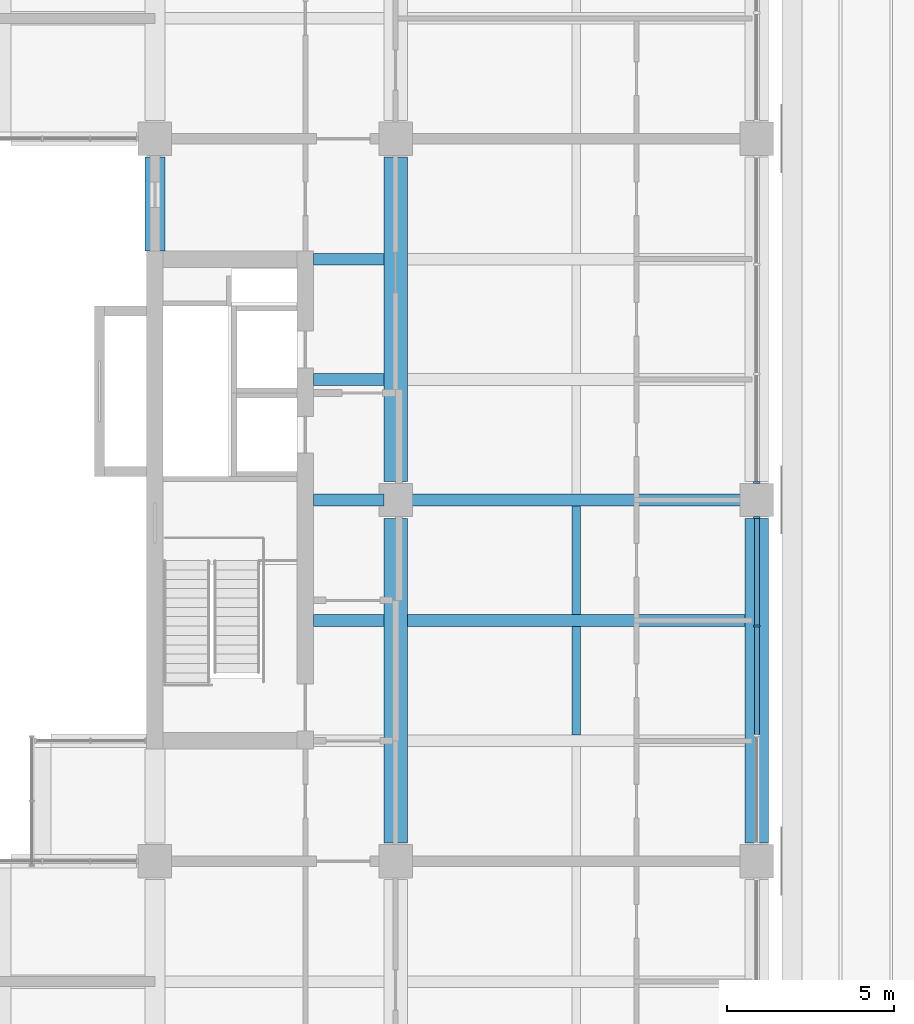
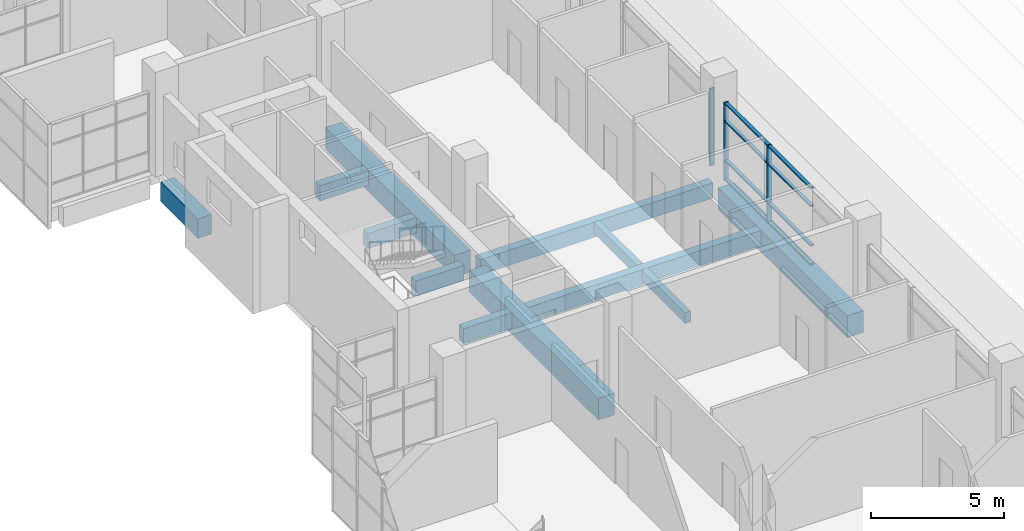
# One storey, part 8 of 45: 12 beams, 11 members, 2 elements without a shape of their own.
"""IFC4 building model written with IfcOpenShell, lengths in metres."""

from ifc_helpers import new_model, si_unit, direction, frame, origin, origin_2d, place, context, subcontext, project, spatial, rectangle, extrude, material, layer, layer_set, material_profile, profile_set, type_object, element, aggregate, save


model = new_model("IFC4")

# Units and contexts
model_context = context("Model", 3, precision=1e-05, world=origin(), true_north=direction((0.0, 1.0)))
body_context = subcontext(model_context, "Body", "Model", "MODEL_VIEW")
ifc_project = project(units=[si_unit("LENGTHUNIT", "METRE"), si_unit("AREAUNIT", "SQUARE_METRE"), si_unit("VOLUMEUNIT", "CUBIC_METRE"), si_unit("PLANEANGLEUNIT", "RADIAN"), si_unit("MASSUNIT", "GRAM", prefix="KILO")], contexts=[model_context])

# Site, building, storey
site_placement = place(None, origin())
site = spatial("IfcSite", under=ifc_project, at=site_placement, CompositionType="ELEMENT")
building_placement = place(site_placement, origin())
building = spatial("IfcBuilding", under=site, at=building_placement, Name="Basin Gate Institute", CompositionType="ELEMENT")
storey_placement = place(building_placement, frame((0.0, 0.0, 22.199951171875)))
storey = spatial("IfcBuildingStorey", under=building, at=storey_placement, Name="L04", CompositionType="ELEMENT", Elevation=22.199951171875)

# Beams
ifc_material_1 = material(Name="Concrete 40 MPa", Category="concrete")
ifc_material_profile_1 = material_profile(ifc_material_1, rectangle(XDim=0.35009765625, YDim=0.699951171875, at=origin_2d()), Name="Beam B1 350 x 700")
ifc_profile_set_1 = profile_set([ifc_material_profile_1], Name="Concrete 40 MPa")
beam_type_1 = type_object("IfcBeamType", Name="Beam B1 R120", PredefinedType="BEAM", material=ifc_profile_set_1)
beam_1_placement = place(storey_placement, frame((68.75, 63.89990234375, -0.599853515625), z_axis=(1.0, 0.0, 0.0), x_axis=(0.0, 1.0, 0.0)))
element("IfcBeam", 1, at=beam_1_placement, inside=storey, type_object=beam_type_1, material=ifc_profile_set_1, Name="BEAM/L04/W/EW/09", PredefinedType="BEAM", context=body_context, shape_type="SweptSolid", body=[
    extrude(rectangle(XDim=0.35009765625, YDim=0.699951171875, at=origin_2d()), origin(), (0.0, 0.0, 1.0), 10.10009765625),
])
beam_2_placement = place(storey_placement, frame((65.949951171875, 63.89990234375, -0.599853515625), z_axis=(1.0, 0.0, 0.0), x_axis=(0.0, 1.0, 0.0)))
element("IfcBeam", 2, at=beam_2_placement, inside=storey, type_object=beam_type_1, material=ifc_profile_set_1, Name="BEAM/L04/W/CORR/09", PredefinedType="BEAM", context=body_context, shape_type="SweptSolid", body=[
    extrude(rectangle(XDim=0.35009765625, YDim=0.699951171875, at=origin_2d()), origin(), (0.0, 0.0, 1.0), 2.10009765625),
])
beam_3_placement = place(storey_placement, frame((68.75, 67.5, -0.599853515625), z_axis=(1.0, 0.0, 0.0), x_axis=(0.0, 1.0, 0.0)))
element("IfcBeam", 3, at=beam_3_placement, inside=storey, type_object=beam_type_1, material=ifc_profile_set_1, Name="BEAM/L04/W/EW/10", PredefinedType="BEAM", context=body_context, shape_type="SweptSolid", body=[
    extrude(rectangle(XDim=0.35009765625, YDim=0.699951171875, at=origin_2d()), origin(), (0.0, 0.0, 1.0), 10.10009765625),
])
for number, where, z_axis, x_axis, name in (
    (4, (65.949951171875, 67.5, -0.599853515625), (1.0, 0.0, 0.0), (0.0, 1.0, 0.0), "BEAM/L04/W/CORR/10"),
    (5, (65.949951171875, 71.10009765625, -0.599853515625), (1.0, 0.0, 0.0), (0.0, 1.0, 0.0), "BEAM/L04/W/CORR/11"),
    (6, (65.949951171875, 74.699951171875, -0.599853515625), (1.0, 0.0, 0.0), (0.0, 1.0, 0.0), "BEAM/L04/W/CORR/12"),
):
    element("IfcBeam", number, at=place(storey_placement, frame(where, z_axis=z_axis, x_axis=x_axis)), inside=storey, type_object=beam_type_1, material=ifc_profile_set_1, Name=name, PredefinedType="BEAM", context=body_context, shape_type="SweptSolid", body=[
        extrude(rectangle(XDim=0.35009765625, YDim=0.699951171875, at=origin_2d()), origin(), (0.0, 0.0, 1.0), 2.10009765625),
    ])
ifc_material_2 = material(Name="Concrete 50 MPa", Category="concrete")
ifc_material_profile_2 = material_profile(ifc_material_2, rectangle(XDim=0.60009765625, YDim=0.89990234375, at=origin_2d()), Name="Edge return beam EB3 600 x 900")
ifc_profile_set_2 = profile_set([ifc_material_profile_2], Name="Concrete 50 MPa")
beam_type_2 = type_object("IfcBeamType", Name="Edge return beam EB3 R120", PredefinedType="SPANDREL", material=ifc_profile_set_2)
beam_4_placement = place(storey_placement, frame((61.199951171875, 74.949951171875, -0.699951171875), z_axis=(0.0, 1.0, 0.0), x_axis=(-1.0, 0.0, 0.0)))
element("IfcBeam", 7, at=beam_4_placement, inside=storey, type_object=beam_type_2, material=ifc_profile_set_2, Name="BEAM/L04/W/EDGE/3", PredefinedType="SPANDREL", context=body_context, shape_type="SweptSolid", body=[
    extrude(rectangle(XDim=0.60009765625, YDim=0.89990234375, at=origin_2d()), origin(), (0.0, 0.0, 1.0), 2.800048828125),
])
ifc_material_3 = material(Name="Concrete 50 MPa", Category="concrete")
ifc_material_profile_3 = material_profile(ifc_material_3, rectangle(XDim=0.699951171875, YDim=1.0, at=origin_2d()), Name="Girder G1 700 x 1000")
ifc_profile_set_3 = profile_set([ifc_material_profile_3], Name="Concrete 50 MPa")
beam_type_3 = type_object("IfcBeamType", Name="Girder G1 R120", PredefinedType="BEAM", material=ifc_profile_set_3)
for number, where, z_axis, x_axis, name in (
    (8, (68.39990234375, 57.25, -0.75), (0.0, 1.0, 0.0), (-1.0, 0.0, 0.0), "GIR/L04/W5/3"),
    (9, (68.39990234375, 68.050048828125, -0.75), (0.0, 1.0, 0.0), (-1.0, 0.0, 0.0), "GIR/L04/W5/4"),
    (10, (79.199951171875, 57.25, -0.75), (0.0, 1.0, 0.0), (-1.0, 0.0, 0.0), "GIR/L04/W6/3"),
):
    element("IfcBeam", number, at=place(storey_placement, frame(where, z_axis=z_axis, x_axis=x_axis)), inside=storey, type_object=beam_type_3, material=ifc_profile_set_3, Name=name, PredefinedType="BEAM", context=body_context, shape_type="SweptSolid", body=[
        extrude(rectangle(XDim=0.699951171875, YDim=1.0, at=origin_2d()), origin(), (0.0, 0.0, 1.0), 9.699951171875),
    ])

# Curtain wall, members
ifc_material_4 = material(Name="Aluminium-framed glazing", Category="aluminium")
ifc_layer = layer(ifc_material_4, 0.199951171875)
ifc_layer_set = layer_set([ifc_layer], Name="Atrium curtain wall CW2")
curtain_wall_type = type_object("IfcCurtainWallType", Name="Atrium curtain wall CW2", PredefinedType="NOTDEFINED", material=ifc_layer_set)
curtain_wall_1_placement = place(storey_placement, origin())
curtain_wall_1 = element("IfcCurtainWall", 11, at=curtain_wall_1_placement, inside=storey, type_object=curtain_wall_type, material=ifc_layer_set, Name="Atrium curtain wall W wing atrium bay 3 L04", PredefinedType="NOTDEFINED")
ifc_material_5 = material(Name="Aluminium", Category="aluminium")
ifc_material_profile_4 = material_profile(ifc_material_5, rectangle(XDim=0.199951171875, YDim=0.06005859375, at=origin_2d()), Name="Mullion MU2 200 x 60")
ifc_profile_set_4 = profile_set([ifc_material_profile_4], Name="Aluminium")
member_type_1 = type_object("IfcMemberType", Name="Mullion MU2", PredefinedType="MULLION", material=ifc_profile_set_4)
member_1_placement = place(storey_placement, frame((79.199951171875, 63.7333984375, 0.0), z_axis=(0.0, 0.0, 1.0), x_axis=(-1.0, 0.0, 0.0)))
member_1 = element("IfcMember", 12, at=member_1_placement, type_object=member_type_1, material=ifc_profile_set_4, Name="CW2 mullion 3", PredefinedType="MULLION", context=body_context, shape_type="SweptSolid", body=[
    extrude(rectangle(XDim=0.199951171875, YDim=0.06005859375, at=origin_2d()), origin(), (0.0, 0.0, 1.0), 3.550048828125),
])
member_2_placement = place(storey_placement, frame((79.199951171875, 66.969970703125, 0.0), z_axis=(0.0, 0.0, 1.0), x_axis=(-1.0, 0.0, 0.0)))
member_2 = element("IfcMember", 13, at=member_2_placement, type_object=member_type_1, material=ifc_profile_set_4, Name="CW2 mullion 4", PredefinedType="MULLION", context=body_context, shape_type="SweptSolid", body=[
    extrude(rectangle(XDim=0.199951171875, YDim=0.06005859375, at=origin_2d()), origin(), (0.0, 0.0, 1.0), 3.550048828125),
])

# Curtain wall, member
curtain_wall_2_placement = place(storey_placement, origin())
curtain_wall_2 = element("IfcCurtainWall", 14, at=curtain_wall_2_placement, inside=storey, type_object=curtain_wall_type, material=ifc_layer_set, Name="Atrium curtain wall W wing atrium bay 4 L04", PredefinedType="NOTDEFINED")
member_3_placement = place(storey_placement, frame((79.199951171875, 68.030029296875, 0.0), z_axis=(0.0, 0.0, 1.0), x_axis=(-1.0, 0.0, 0.0)))
member_3 = element("IfcMember", 15, at=member_3_placement, type_object=member_type_1, material=ifc_profile_set_4, Name="CW2 mullion 1", PredefinedType="MULLION", context=body_context, shape_type="SweptSolid", body=[
    extrude(rectangle(XDim=0.199951171875, YDim=0.06005859375, at=origin_2d()), origin(), (0.0, 0.0, 1.0), 3.550048828125),
])
aggregate(curtain_wall_2, [member_3])

# Beams
ifc_material_6 = material(Name="Concrete 40 MPa", Category="concrete")
ifc_material_profile_5 = material_profile(ifc_material_6, rectangle(XDim=0.25, YDim=0.5, at=origin_2d()), Name="Rib R1 250 x 500")
ifc_profile_set_5 = profile_set([ifc_material_profile_5], Name="Concrete 40 MPa")
beam_type_4 = type_object("IfcBeamType", Name="Rib R1 R120", PredefinedType="JOIST", material=ifc_profile_set_5)
for number, where, z_axis, x_axis, name in (
    (16, (73.800048828125, 60.47509765625, -0.5), (0.0, 1.0, 0.0), (-1.0, 0.0, 0.0), "BEAM/L04/W/RIB/08"),
    (17, (73.800048828125, 64.074951171875, -0.5), (0.0, 1.0, 0.0), (-1.0, 0.0, 0.0), "BEAM/L04/W/RIB/09"),
):
    element("IfcBeam", number, at=place(storey_placement, frame(where, z_axis=z_axis, x_axis=x_axis)), inside=storey, type_object=beam_type_4, material=ifc_profile_set_5, Name=name, PredefinedType="JOIST", context=body_context, shape_type="SweptSolid", body=[
        extrude(rectangle(XDim=0.25, YDim=0.5, at=origin_2d()), origin(), (0.0, 0.0, 1.0), 3.25),
    ])

# Member
ifc_material_7 = material(Name="Aluminium", Category="aluminium")
ifc_material_profile_6 = material_profile(ifc_material_7, rectangle(XDim=0.14990234375, YDim=0.06005859375, at=origin_2d()), Name="Transom TR2 150 x 60")
ifc_profile_set_6 = profile_set([ifc_material_profile_6], Name="Aluminium")
member_type_2 = type_object("IfcMemberType", Name="Transom TR2", PredefinedType="USERDEFINED", material=ifc_profile_set_6)
member_4_placement = place(storey_placement, frame((79.199951171875, 60.49658203125, 0.030029296875), z_axis=(0.0, 1.0, 0.0), x_axis=(-1.0, 0.0, 0.0)))
member_4 = element("IfcMember", 18, at=member_4_placement, type_object=member_type_2, material=ifc_profile_set_6, Name="CW2 transom 2.1", ObjectType="TRANSOM", PredefinedType="USERDEFINED", context=body_context, shape_type="SweptSolid", body=[
    extrude(rectangle(XDim=0.14990234375, YDim=0.06005859375, at=origin_2d()), origin(), (0.0, 0.0, 1.0), 3.206787109375),
])

member_5_placement = place(storey_placement, frame((79.199951171875, 60.49658203125, 0.900146484375), z_axis=(0.0, 1.0, 0.0), x_axis=(-1.0, 0.0, 0.0)))
member_5 = element("IfcMember", 19, at=member_5_placement, type_object=member_type_2, material=ifc_profile_set_6, Name="CW2 transom 2.2", ObjectType="TRANSOM", PredefinedType="USERDEFINED", context=body_context, shape_type="SweptSolid", body=[
    extrude(rectangle(XDim=0.14990234375, YDim=0.06005859375, at=origin_2d()), origin(), (0.0, 0.0, 1.0), 3.206787109375),
])

member_6_placement = place(storey_placement, frame((79.199951171875, 60.49658203125, 2.699951171875), z_axis=(0.0, 1.0, 0.0), x_axis=(-1.0, 0.0, 0.0)))
member_6 = element("IfcMember", 20, at=member_6_placement, type_object=member_type_2, material=ifc_profile_set_6, Name="CW2 transom 2.3", ObjectType="TRANSOM", PredefinedType="USERDEFINED", context=body_context, shape_type="SweptSolid", body=[
    extrude(rectangle(XDim=0.14990234375, YDim=0.06005859375, at=origin_2d()), origin(), (0.0, 0.0, 1.0), 3.206787109375),
])

member_7_placement = place(storey_placement, frame((79.199951171875, 60.49658203125, 3.52001953125), z_axis=(0.0, 1.0, 0.0), x_axis=(-1.0, 0.0, 0.0)))
member_7 = element("IfcMember", 21, at=member_7_placement, type_object=member_type_2, material=ifc_profile_set_6, Name="CW2 transom 2.4", ObjectType="TRANSOM", PredefinedType="USERDEFINED", context=body_context, shape_type="SweptSolid", body=[
    extrude(rectangle(XDim=0.14990234375, YDim=0.06005859375, at=origin_2d()), origin(), (0.0, 0.0, 1.0), 3.206787109375),
])

member_8_placement = place(storey_placement, frame((79.199951171875, 63.763427734375, 0.030029296875), z_axis=(0.0, 1.0, 0.0), x_axis=(-1.0, 0.0, 0.0)))
member_8 = element("IfcMember", 22, at=member_8_placement, type_object=member_type_2, material=ifc_profile_set_6, Name="CW2 transom 3.1", ObjectType="TRANSOM", PredefinedType="USERDEFINED", context=body_context, shape_type="SweptSolid", body=[
    extrude(rectangle(XDim=0.14990234375, YDim=0.06005859375, at=origin_2d()), origin(), (0.0, 0.0, 1.0), 3.176513671875),
])

member_9_placement = place(storey_placement, frame((79.199951171875, 63.763427734375, 0.900146484375), z_axis=(0.0, 1.0, 0.0), x_axis=(-1.0, 0.0, 0.0)))
member_9 = element("IfcMember", 23, at=member_9_placement, type_object=member_type_2, material=ifc_profile_set_6, Name="CW2 transom 3.2", ObjectType="TRANSOM", PredefinedType="USERDEFINED", context=body_context, shape_type="SweptSolid", body=[
    extrude(rectangle(XDim=0.14990234375, YDim=0.06005859375, at=origin_2d()), origin(), (0.0, 0.0, 1.0), 3.176513671875),
])

member_10_placement = place(storey_placement, frame((79.199951171875, 63.763427734375, 2.699951171875), z_axis=(0.0, 1.0, 0.0), x_axis=(-1.0, 0.0, 0.0)))
member_10 = element("IfcMember", 24, at=member_10_placement, type_object=member_type_2, material=ifc_profile_set_6, Name="CW2 transom 3.3", ObjectType="TRANSOM", PredefinedType="USERDEFINED", context=body_context, shape_type="SweptSolid", body=[
    extrude(rectangle(XDim=0.14990234375, YDim=0.06005859375, at=origin_2d()), origin(), (0.0, 0.0, 1.0), 3.176513671875),
])

member_11_placement = place(storey_placement, frame((79.199951171875, 63.763427734375, 3.52001953125), z_axis=(0.0, 1.0, 0.0), x_axis=(-1.0, 0.0, 0.0)))
member_11 = element("IfcMember", 25, at=member_11_placement, type_object=member_type_2, material=ifc_profile_set_6, Name="CW2 transom 3.4", ObjectType="TRANSOM", PredefinedType="USERDEFINED", context=body_context, shape_type="SweptSolid", body=[
    extrude(rectangle(XDim=0.14990234375, YDim=0.06005859375, at=origin_2d()), origin(), (0.0, 0.0, 1.0), 3.176513671875),
])

aggregate(curtain_wall_1, [member_1, member_2, member_4, member_5, member_6, member_7, member_8, member_9, member_10, member_11])

save(model, "model.ifc")
